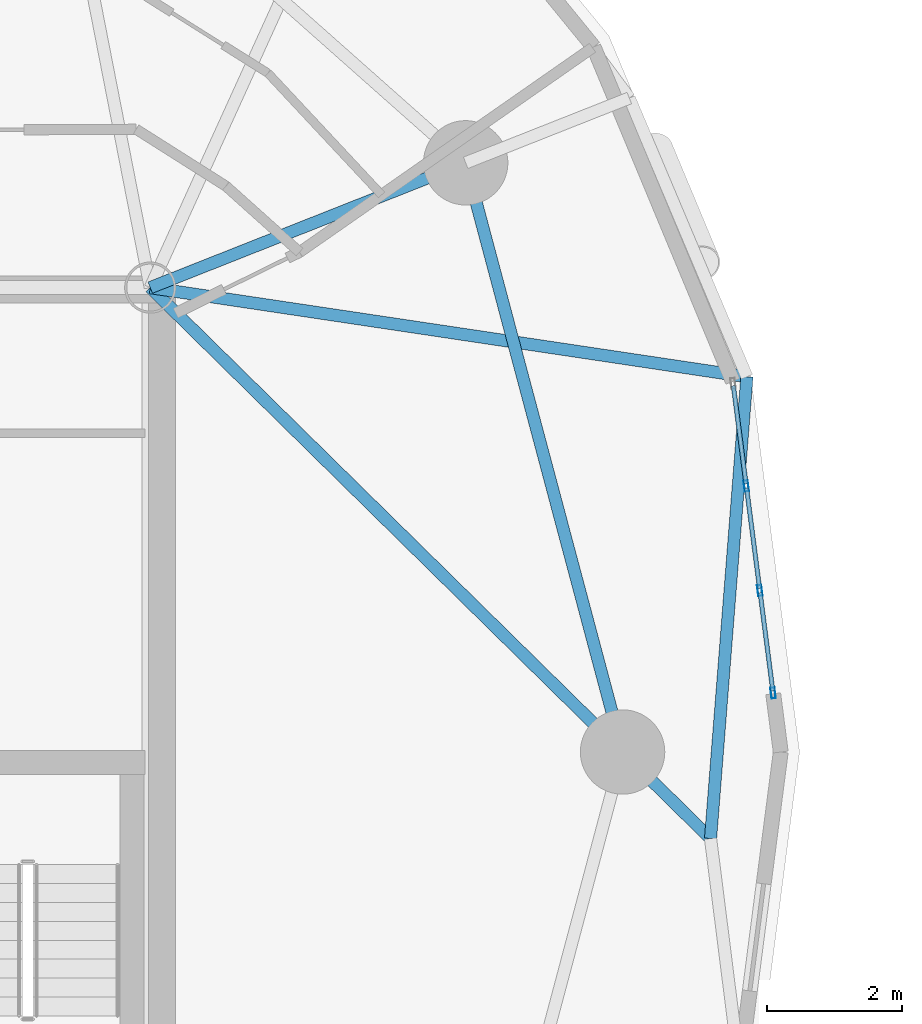
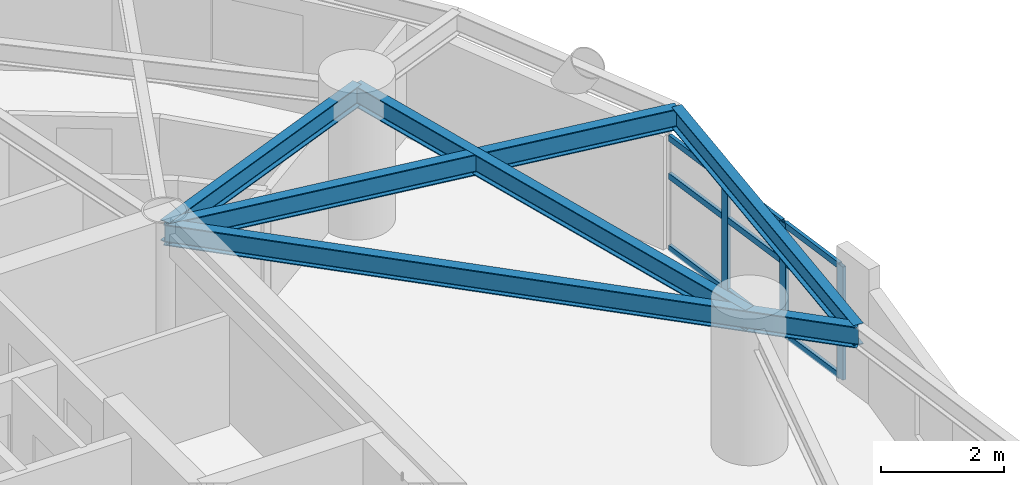
# One storey, part 2 of 17: 12 members, 5 beams, 1 element without a shape of its own.
"""IFC4 building model written with IfcOpenShell, lengths in metres."""

from ifc_helpers import new_model, si_unit, direction, frame, origin, origin_2d, place, context, subcontext, project, spatial, hollow_rectangle, i_section, extrude, material, layer, layer_set, material_profile, profile_set, type_object, element, aggregate, save


model = new_model("IFC4")

# Units and contexts
model_context = context("Model", 3, precision=1e-05, world=origin(), true_north=direction((0.0, 1.0)))
body_context = subcontext(model_context, "Body", "Model", "MODEL_VIEW")
ifc_project = project(units=[si_unit("LENGTHUNIT", "METRE"), si_unit("AREAUNIT", "SQUARE_METRE"), si_unit("VOLUMEUNIT", "CUBIC_METRE"), si_unit("PLANEANGLEUNIT", "RADIAN"), si_unit("MASSUNIT", "GRAM", prefix="KILO")], contexts=[model_context])

# Site, building, storey
site_placement = place(None, origin())
site = spatial("IfcSite", under=ifc_project, at=site_placement, CompositionType="ELEMENT")
building_placement = place(site_placement, origin())
building = spatial("IfcBuilding", under=site, at=building_placement, Name="Cununo Teusaquillo Station Towers", CompositionType="ELEMENT")
storey_placement = place(building_placement, frame((0.0, 0.0, 163.239990234375)))
storey = spatial("IfcBuildingStorey", under=building, at=storey_placement, Name="L51", CompositionType="ELEMENT", Elevation=163.239990234375)

# Beams
ifc_material_1 = material(Name="Steel ASTM A572 Grade 50", Category="steel")
ifc_material_profile_1 = material_profile(ifc_material_1, i_section(OverallWidth=0.180908203125, OverallDepth=0.4169921875, WebThickness=0.010986328125, FlangeThickness=0.018310546875, FilletRadius=0.012939453125, at=origin_2d()), Name="W16X57")
ifc_profile_set_1 = profile_set([ifc_material_profile_1], Name="Steel ASTM A572 Grade 50")
beam_type_1 = type_object("IfcBeamType", Name="BM-JOIST-1", PredefinedType="JOIST", material=ifc_profile_set_1)
beam_1_placement = place(storey_placement, frame((21.675048828125, 31.3798828125, 2.4814453125), z_axis=(0.989018754675, -0.147790063606, 0.0), x_axis=(0.147790063606, 0.989018754675, 0.0)))
element("IfcBeam", 1, at=beam_1_placement, inside=storey, type_object=beam_type_1, Name="L51 Tower A Radial Spandrel Joist V01", PredefinedType="JOIST", context=body_context, shape_type="SweptSolid", body=[
    extrude(i_section(OverallWidth=0.180908203125, OverallDepth=0.4169921875, WebThickness=0.010986328125, FlangeThickness=0.018310546875, FilletRadius=0.012939453125, at=origin_2d()), origin(), (0.0, 0.0, 1.0), 8.93701171875),
])
ifc_material_2 = material(Name="Steel ASTM A572 Grade 50", Category="steel")
ifc_material_profile_2 = material_profile(ifc_material_2, i_section(OverallWidth=0.180908203125, OverallDepth=0.4169921875, WebThickness=0.010986328125, FlangeThickness=0.018310546875, FilletRadius=0.012939453125, at=origin_2d()), Name="W16X57")
ifc_profile_set_2 = profile_set([ifc_material_profile_2], Name="Steel ASTM A572 Grade 50")
beam_type_2 = type_object("IfcBeamType", Name="BM-RAD-G2", PredefinedType="BEAM", material=ifc_profile_set_2)
beam_2_placement = place(storey_placement, frame((21.675048828125, 31.3798828125, 2.4814453125), z_axis=(0.71304866969, -0.701114537471, 0.0), x_axis=(0.701114537471, 0.71304866969, 0.0)))
element("IfcBeam", 2, at=beam_2_placement, inside=storey, type_object=beam_type_2, Name="L51 Tower A Continuous Overhanging Radial Girder 01", PredefinedType="BEAM", context=body_context, shape_type="SweptSolid", body=[
    extrude(i_section(OverallWidth=0.180908203125, OverallDepth=0.4169921875, WebThickness=0.010986328125, FlangeThickness=0.018310546875, FilletRadius=0.012939453125, at=origin_2d()), origin(), (0.0, 0.0, 1.0), 11.64013671875),
])
beam_3_placement = place(storey_placement, frame((21.675048828125, 31.3798828125, 2.4814453125), z_axis=(0.929864104313, 0.367903176814, 0.0), x_axis=(-0.367903176814, 0.929864104313, 0.0)))
element("IfcBeam", 3, at=beam_3_placement, inside=storey, type_object=beam_type_2, Name="L51 Tower A Radial Girder 02A", PredefinedType="BEAM", context=body_context, shape_type="SweptSolid", body=[
    extrude(i_section(OverallWidth=0.180908203125, OverallDepth=0.4169921875, WebThickness=0.010986328125, FlangeThickness=0.018310546875, FilletRadius=0.012939453125, at=origin_2d()), origin(), (0.0, 0.0, 1.0), 5.02490234375),
])
ifc_material_3 = material(Name="Steel ASTM A572 Grade 50", Category="steel")
ifc_material_profile_3 = material_profile(ifc_material_3, i_section(OverallWidth=0.180908203125, OverallDepth=0.4169921875, WebThickness=0.010986328125, FlangeThickness=0.018310546875, FilletRadius=0.012939453125, at=origin_2d()), Name="W16X57")
ifc_profile_set_3 = profile_set([ifc_material_profile_3], Name="Steel ASTM A572 Grade 50")
beam_type_3 = type_object("IfcBeamType", Name="BM-RING-Z3", PredefinedType="SPANDREL", material=ifc_profile_set_3)
beam_4_placement = place(storey_placement, frame((28.672119140625, 24.5, 2.4814453125), z_axis=(-0.257363196347, 0.966314744359, 0.0), x_axis=(-0.966314744359, -0.257363196347, 0.0)))
element("IfcBeam", 4, at=beam_4_placement, inside=storey, type_object=beam_type_3, Name="L51 Tower A Structural Column Ring Girder 01", PredefinedType="SPANDREL", context=body_context, shape_type="SweptSolid", body=[
    extrude(i_section(OverallWidth=0.180908203125, OverallDepth=0.4169921875, WebThickness=0.010986328125, FlangeThickness=0.018310546875, FilletRadius=0.012939453125, at=origin_2d()), origin(), (0.0, 0.0, 1.0), 9.03271484375),
])
beam_5_placement = place(storey_placement, frame((29.97509765625, 23.21875, 2.4814453125), z_axis=(0.078527541639, 0.996911944559, 0.0), x_axis=(-0.996911944559, 0.078527541639, 0.0)))
element("IfcBeam", 5, at=beam_5_placement, inside=storey, type_object=beam_type_3, Name="L51 Tower A Spandrel Ring Beam 01", PredefinedType="SPANDREL", context=body_context, shape_type="SweptSolid", body=[
    extrude(i_section(OverallWidth=0.180908203125, OverallDepth=0.4169921875, WebThickness=0.010986328125, FlangeThickness=0.018310546875, FilletRadius=0.012939453125, at=origin_2d()), origin(), (0.0, 0.0, 1.0), 6.861572265625),
])

# Curtain wall, members
ifc_material_4 = material(Name="Operable acoustic tinted low-E double glazing", Category="glass")
ifc_layer = layer(ifc_material_4, 0.179931640625)
ifc_layer_set = layer_set([ifc_layer], Name="Operable acoustic tinted low-E double glazing")
curtain_wall_type = type_object("IfcCurtainWallType", Name="CW-SYS-06", PredefinedType="USERDEFINED", material=ifc_layer_set)
curtain_wall_placement = place(storey_placement, origin())
curtain_wall = element("IfcCurtainWall", 6, at=curtain_wall_placement, inside=storey, type_object=curtain_wall_type, Name="L51 Tower A Facade Curtain Wall C00", ObjectType="OPERABLE GLAZING", PredefinedType="USERDEFINED")
ifc_material_5 = material(Name="Anodised dark bronze aluminium EN AW-6063-T6", Category="aluminium")
ifc_material_profile_4 = material_profile(ifc_material_5, hollow_rectangle(XDim=0.06494140625, YDim=0.159912109375, WallThickness=0.00390625, at=origin_2d()), Name="CW-MULL-65x160")
ifc_profile_set_4 = profile_set([ifc_material_profile_4], Name="Anodised dark bronze aluminium EN AW-6063-T6")
member_type_1 = type_object("IfcMemberType", Name="CWM-160", PredefinedType="MULLION", material=ifc_profile_set_4)
member_1_placement = place(storey_placement, frame((30.505126953125, 28.44189453125, 0.0), z_axis=(0.0, 0.0, 1.0), x_axis=(0.991736321922, 0.128292898403, 0.0)))
member_1 = element("IfcMember", 7, at=member_1_placement, type_object=member_type_1, Name="CW-06 mullion 2", PredefinedType="MULLION", context=body_context, shape_type="SweptSolid", body=[
    extrude(hollow_rectangle(XDim=0.06494140625, YDim=0.159912109375, WallThickness=0.00390625, at=origin_2d()), origin(), (0.0, 0.0, 1.0), 2.2451171875),
])
member_2_placement = place(storey_placement, frame((30.70556640625, 26.892333984375, 0.0), z_axis=(0.0, 0.0, 1.0), x_axis=(0.991736321922, 0.128292898403, 0.0)))
member_2 = element("IfcMember", 8, at=member_2_placement, type_object=member_type_1, Name="CW-06 mullion 3", PredefinedType="MULLION", context=body_context, shape_type="SweptSolid", body=[
    extrude(hollow_rectangle(XDim=0.06494140625, YDim=0.159912109375, WallThickness=0.00390625, at=origin_2d()), origin(), (0.0, 0.0, 1.0), 2.2451171875),
])
member_3_placement = place(storey_placement, frame((30.901611328125, 25.375244140625, 0.0), z_axis=(0.0, 0.0, 1.0), x_axis=(0.991736321922, 0.128292898403, 0.0)))
member_3 = element("IfcMember", 9, at=member_3_placement, type_object=member_type_1, Name="CW-06 mullion 4", PredefinedType="MULLION", context=body_context, shape_type="SweptSolid", body=[
    extrude(hollow_rectangle(XDim=0.06494140625, YDim=0.159912109375, WallThickness=0.00390625, at=origin_2d()), origin(), (0.0, 0.0, 1.0), 2.2451171875),
])
ifc_material_6 = material(Name="Anodised dark bronze aluminium EN AW-6063-T6", Category="aluminium")
ifc_material_profile_5 = material_profile(ifc_material_6, hollow_rectangle(XDim=0.06494140625, YDim=0.1201171875, WallThickness=0.00390625, at=origin_2d()), Name="CW-TRAN-65x120")
ifc_profile_set_5 = profile_set([ifc_material_profile_5], Name="Anodised dark bronze aluminium EN AW-6063-T6")
member_type_2 = type_object("IfcMemberType", Name="CWT-120", PredefinedType="USERDEFINED", material=ifc_profile_set_5)
member_4_placement = place(storey_placement, frame((30.31298828125, 29.9267578125, 0.032470703125), z_axis=(0.128341533193, -0.99173002922, 0.0), x_axis=(0.99173002922, 0.128341533193, 0.0)))
member_4 = element("IfcMember", 10, at=member_4_placement, type_object=member_type_2, Name="CW-06 transom 1.1", ObjectType="TRANSOM", PredefinedType="USERDEFINED", context=body_context, shape_type="SweptSolid", body=[
    extrude(hollow_rectangle(XDim=0.06494140625, YDim=0.1201171875, WallThickness=0.00390625, at=origin_2d()), origin(), (0.0, 0.0, 1.0), 1.46484375),
])
member_5_placement = place(storey_placement, frame((30.31298828125, 29.9267578125, 1.458984375), z_axis=(0.128341533193, -0.99173002922, 0.0), x_axis=(0.99173002922, 0.128341533193, 0.0)))
member_5 = element("IfcMember", 11, at=member_5_placement, type_object=member_type_2, Name="CW-06 transom 1.2", ObjectType="TRANSOM", PredefinedType="USERDEFINED", context=body_context, shape_type="SweptSolid", body=[
    extrude(hollow_rectangle(XDim=0.06494140625, YDim=0.1201171875, WallThickness=0.00390625, at=origin_2d()), origin(), (0.0, 0.0, 1.0), 1.46484375),
])
member_6_placement = place(storey_placement, frame((30.31298828125, 29.9267578125, 2.21240234375), z_axis=(0.128341533193, -0.99173002922, 0.0), x_axis=(0.99173002922, 0.128341533193, 0.0)))
member_6 = element("IfcMember", 12, at=member_6_placement, type_object=member_type_2, Name="CW-06 transom 1.3", ObjectType="TRANSOM", PredefinedType="USERDEFINED", context=body_context, shape_type="SweptSolid", body=[
    extrude(hollow_rectangle(XDim=0.06494140625, YDim=0.1201171875, WallThickness=0.00390625, at=origin_2d()), origin(), (0.0, 0.0, 1.0), 1.46484375),
])
member_7_placement = place(storey_placement, frame((30.50927734375, 28.40966796875, 0.032470703125), z_axis=(0.128307576997, -0.991734422961, 0.0), x_axis=(0.991734422961, 0.128307576997, 0.0)))
member_7 = element("IfcMember", 13, at=member_7_placement, type_object=member_type_2, Name="CW-06 transom 2.1", ObjectType="TRANSOM", PredefinedType="USERDEFINED", context=body_context, shape_type="SweptSolid", body=[
    extrude(hollow_rectangle(XDim=0.06494140625, YDim=0.1201171875, WallThickness=0.00390625, at=origin_2d()), origin(), (0.0, 0.0, 1.0), 1.49755859375),
])
member_8_placement = place(storey_placement, frame((30.50927734375, 28.40966796875, 1.458984375), z_axis=(0.128307576997, -0.991734422961, 0.0), x_axis=(0.991734422961, 0.128307576997, 0.0)))
member_8 = element("IfcMember", 14, at=member_8_placement, type_object=member_type_2, Name="CW-06 transom 2.2", ObjectType="TRANSOM", PredefinedType="USERDEFINED", context=body_context, shape_type="SweptSolid", body=[
    extrude(hollow_rectangle(XDim=0.06494140625, YDim=0.1201171875, WallThickness=0.00390625, at=origin_2d()), origin(), (0.0, 0.0, 1.0), 1.49755859375),
])
member_9_placement = place(storey_placement, frame((30.50927734375, 28.40966796875, 2.21240234375), z_axis=(0.128307576997, -0.991734422961, 0.0), x_axis=(0.991734422961, 0.128307576997, 0.0)))
member_9 = element("IfcMember", 15, at=member_9_placement, type_object=member_type_2, Name="CW-06 transom 2.3", ObjectType="TRANSOM", PredefinedType="USERDEFINED", context=body_context, shape_type="SweptSolid", body=[
    extrude(hollow_rectangle(XDim=0.06494140625, YDim=0.1201171875, WallThickness=0.00390625, at=origin_2d()), origin(), (0.0, 0.0, 1.0), 1.49755859375),
])
member_10_placement = place(storey_placement, frame((30.709716796875, 26.860107421875, 0.032470703125), z_axis=(0.128177596053, -0.991751230839, 0.0), x_axis=(0.991751230839, 0.128177596053, 0.0)))
member_10 = element("IfcMember", 16, at=member_10_placement, type_object=member_type_2, Name="CW-06 transom 3.1", ObjectType="TRANSOM", PredefinedType="USERDEFINED", context=body_context, shape_type="SweptSolid", body=[
    extrude(hollow_rectangle(XDim=0.06494140625, YDim=0.1201171875, WallThickness=0.00390625, at=origin_2d()), origin(), (0.0, 0.0, 1.0), 1.464599609375),
])
member_11_placement = place(storey_placement, frame((30.709716796875, 26.860107421875, 1.458984375), z_axis=(0.128177596053, -0.991751230839, 0.0), x_axis=(0.991751230839, 0.128177596053, 0.0)))
member_11 = element("IfcMember", 17, at=member_11_placement, type_object=member_type_2, Name="CW-06 transom 3.2", ObjectType="TRANSOM", PredefinedType="USERDEFINED", context=body_context, shape_type="SweptSolid", body=[
    extrude(hollow_rectangle(XDim=0.06494140625, YDim=0.1201171875, WallThickness=0.00390625, at=origin_2d()), origin(), (0.0, 0.0, 1.0), 1.464599609375),
])
member_12_placement = place(storey_placement, frame((30.709716796875, 26.860107421875, 2.21240234375), z_axis=(0.128177596053, -0.991751230839, 0.0), x_axis=(0.991751230839, 0.128177596053, 0.0)))
member_12 = element("IfcMember", 18, at=member_12_placement, type_object=member_type_2, Name="CW-06 transom 3.3", ObjectType="TRANSOM", PredefinedType="USERDEFINED", context=body_context, shape_type="SweptSolid", body=[
    extrude(hollow_rectangle(XDim=0.06494140625, YDim=0.1201171875, WallThickness=0.00390625, at=origin_2d()), origin(), (0.0, 0.0, 1.0), 1.464599609375),
])
aggregate(curtain_wall, [member_1, member_2, member_3, member_4, member_5, member_6, member_7, member_8, member_9, member_10, member_11, member_12])

save(model, "model.ifc")
